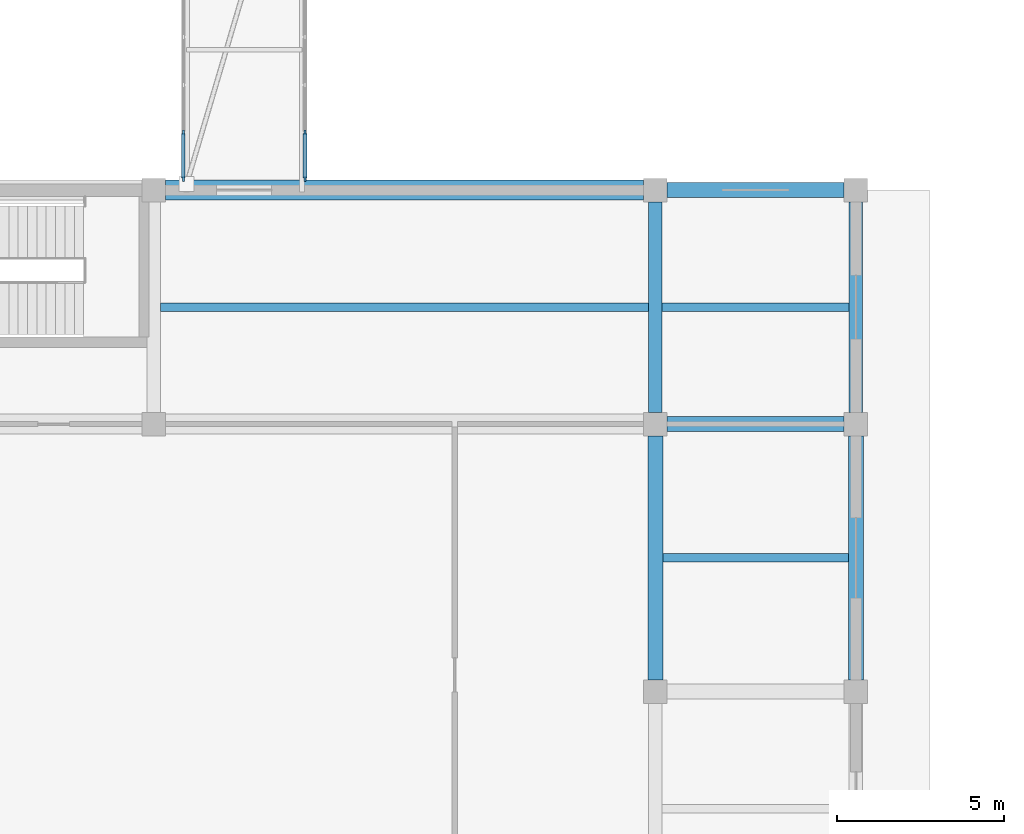
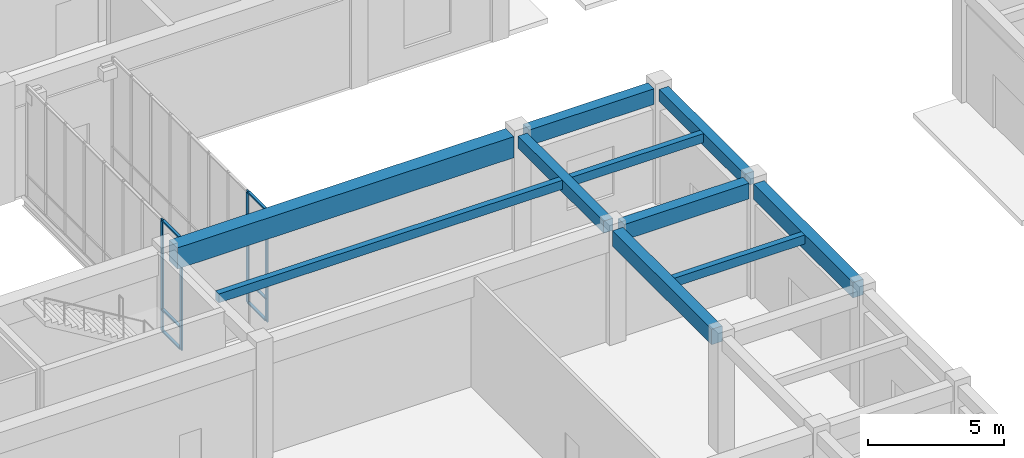
# One storey, part 6 of 40: 10 beams, 10 members, 2 elements without a shape of their own.
"""IFC4 building model written with IfcOpenShell, lengths in metres."""

from ifc_helpers import new_model, si_unit, direction, frame, origin, origin_2d, place, context, subcontext, project, spatial, rectangle, extrude, material, layer, layer_set, material_profile, profile_set, type_object, element, aggregate, save


model = new_model("IFC4")

# Units and contexts
model_context = context("Model", 3, precision=1e-05, world=origin(), true_north=direction((0.0, 1.0)))
body_context = subcontext(model_context, "Body", "Model", "MODEL_VIEW")
ifc_project = project(units=[si_unit("LENGTHUNIT", "METRE"), si_unit("AREAUNIT", "SQUARE_METRE"), si_unit("VOLUMEUNIT", "CUBIC_METRE"), si_unit("PLANEANGLEUNIT", "RADIAN"), si_unit("MASSUNIT", "GRAM", prefix="KILO")], contexts=[model_context])

# Site, building, storey
site_placement = place(None, origin())
site = spatial("IfcSite", under=ifc_project, at=site_placement, CompositionType="ELEMENT")
building_placement = place(site_placement, origin())
building = spatial("IfcBuilding", under=site, at=building_placement, Name="Naurynzar Civic Courthouse", CompositionType="ELEMENT")
storey_placement = place(building_placement, origin())
storey = spatial("IfcBuildingStorey", under=building, at=storey_placement, Name="L01", CompositionType="ELEMENT", Elevation=0.0)

# Beams
ifc_material_1 = material(Name="Concrete C40/50", Category="concrete")
ifc_material_profile_1 = material_profile(ifc_material_1, rectangle(XDim=0.25, YDim=0.39990234375, at=origin_2d()), Name="RCB 250x400")
ifc_profile_set_1 = profile_set([ifc_material_profile_1], Name="Concrete C40/50")
beam_type_1 = type_object("IfcBeamType", Name="BM-JST-250x400", PredefinedType="JOIST", material=ifc_profile_set_1)
beam_1_placement = place(storey_placement, frame((50.22509765625, 21.0, 4.929931640625), z_axis=(1.0, 0.0, 0.0), x_axis=(0.0, 1.0, 0.0)))
element("IfcBeam", 1, at=beam_1_placement, inside=storey, type_object=beam_type_1, Name="V4 secondary rib 1800 L01", PredefinedType="JOIST", context=body_context, shape_type="SweptSolid", body=[
    extrude(rectangle(XDim=0.25, YDim=0.39990234375, at=origin_2d()), origin(), (0.0, 0.0, 1.0), 5.5498046875),
])
beam_2_placement = place(storey_placement, frame((35.199951171875, 28.5, 4.929931640625), z_axis=(1.0, 0.0, 0.0), x_axis=(0.0, 1.0, 0.0)))
element("IfcBeam", 2, at=beam_2_placement, inside=storey, type_object=beam_type_1, Name="V4 secondary rib 1801 L01", PredefinedType="JOIST", context=body_context, shape_type="SweptSolid", body=[
    extrude(rectangle(XDim=0.25, YDim=0.39990234375, at=origin_2d()), origin(), (0.0, 0.0, 1.0), 14.60009765625),
])
beam_3_placement = place(storey_placement, frame((50.199951171875, 28.5, 4.929931640625), z_axis=(1.0, 0.0, 0.0), x_axis=(0.0, 1.0, 0.0)))
element("IfcBeam", 3, at=beam_3_placement, inside=storey, type_object=beam_type_1, Name="V4 secondary rib 1802 L01", PredefinedType="JOIST", context=body_context, shape_type="SweptSolid", body=[
    extrude(rectangle(XDim=0.25, YDim=0.39990234375, at=origin_2d()), origin(), (0.0, 0.0, 1.0), 5.60009765625),
])
ifc_material_2 = material(Name="Concrete C40/50", Category="concrete")
ifc_material_profile_2 = material_profile(ifc_material_2, rectangle(XDim=0.60009765625, YDim=0.949951171875, at=origin_2d()), Name="PTB 600x950")
ifc_profile_set_2 = profile_set([ifc_material_profile_2], Name="Concrete C40/50")
beam_type_2 = type_object("IfcBeamType", Name="BM-PT-600x950", PredefinedType="T_BEAM", material=ifc_profile_set_2)
beam_4_placement = place(storey_placement, frame((35.35009765625, 32.0, 4.655029296875), z_axis=(1.0, 0.0, 0.0), x_axis=(0.0, 1.0, 0.0)))
element("IfcBeam", 4, at=beam_4_placement, inside=storey, type_object=beam_type_2, Name="V4 beam X-1771 L01", PredefinedType="T_BEAM", context=body_context, shape_type="SweptSolid", body=[
    extrude(rectangle(XDim=0.60009765625, YDim=0.949951171875, at=origin_2d()), origin(), (0.0, 0.0, 1.0), 14.2998046875),
])
ifc_material_3 = material(Name="Concrete C40/50", Category="concrete")
ifc_material_profile_3 = material_profile(ifc_material_3, rectangle(XDim=0.39990234375, YDim=0.550048828125, at=origin_2d()), Name="RCB 400x550")
ifc_profile_set_3 = profile_set([ifc_material_profile_3], Name="Concrete C40/50")
beam_type_3 = type_object("IfcBeamType", Name="BM-RC-400x550", PredefinedType="BEAM", material=ifc_profile_set_3)
for number, where, z_axis, x_axis, name in (
    (5, (50.0, 25.35009765625, 4.85498046875), (0.0, 1.0, 0.0), (-1.0, 0.0, 0.0), "V4 girder Y-1790 L01"),
    (6, (56.0, 25.35009765625, 4.85498046875), (0.0, 1.0, 0.0), (-1.0, 0.0, 0.0), "V4 girder Y-1794 L01"),
):
    element("IfcBeam", number, at=place(storey_placement, frame(where, z_axis=z_axis, x_axis=x_axis)), inside=storey, type_object=beam_type_3, Name=name, PredefinedType="BEAM", context=body_context, shape_type="SweptSolid", body=[
        extrude(rectangle(XDim=0.39990234375, YDim=0.550048828125, at=origin_2d()), origin(), (0.0, 0.0, 1.0), 6.2998046875),
    ])
ifc_material_4 = material(Name="Concrete C40/50", Category="concrete")
ifc_material_profile_4 = material_profile(ifc_material_4, rectangle(XDim=0.449951171875, YDim=0.699951171875, at=origin_2d()), Name="RCB 450x700")
ifc_profile_set_4 = profile_set([ifc_material_profile_4], Name="Concrete C40/50")
beam_type_4 = type_object("IfcBeamType", Name="BM-RC-450x700", PredefinedType="BEAM", material=ifc_profile_set_4)
for number, where, z_axis, x_axis, name in (
    (7, (50.35009765625, 25.0, 4.780029296875), (1.0, 0.0, 0.0), (0.0, 1.0, 0.0), "V4 beam X-1767 L01"),
    (8, (50.35009765625, 32.0, 4.780029296875), (1.0, 0.0, 0.0), (0.0, 1.0, 0.0), "V4 beam X-1772 L01"),
):
    element("IfcBeam", number, at=place(storey_placement, frame(where, z_axis=z_axis, x_axis=x_axis)), inside=storey, type_object=beam_type_4, Name=name, PredefinedType="BEAM", context=body_context, shape_type="SweptSolid", body=[
        extrude(rectangle(XDim=0.449951171875, YDim=0.699951171875, at=origin_2d()), origin(), (0.0, 0.0, 1.0), 5.2998046875),
    ])
for number, where, z_axis, x_axis, name in (
    (9, (50.0, 17.35009765625, 4.780029296875), (0.0, 1.0, 0.0), (-1.0, 0.0, 0.0), "V4 girder Y-1789 L01"),
    (10, (56.0, 17.35009765625, 4.780029296875), (0.0, 1.0, 0.0), (-1.0, 0.0, 0.0), "V4 girder Y-1793 L01"),
):
    element("IfcBeam", number, at=place(storey_placement, frame(where, z_axis=z_axis, x_axis=x_axis)), inside=storey, type_object=beam_type_4, Name=name, PredefinedType="BEAM", context=body_context, shape_type="SweptSolid", body=[
        extrude(rectangle(XDim=0.449951171875, YDim=0.699951171875, at=origin_2d()), origin(), (0.0, 0.0, 1.0), 7.2998046875),
    ])

# Curtain wall, members
ifc_material_5 = material(Name="Aluminium 6063-T6", Category="aluminium")
ifc_layer = layer(ifc_material_5, 0.14990234375)
ifc_layer_set = layer_set([ifc_layer], Name="CW-BRIDGE-1500")
curtain_wall_type = type_object("IfcCurtainWallType", Name="CW-BRIDGE-1500", PredefinedType="USERDEFINED", material=ifc_layer_set)
curtain_wall_1_placement = place(storey_placement, origin())
curtain_wall_1 = element("IfcCurtainWall", 11, at=curtain_wall_1_placement, inside=storey, type_object=curtain_wall_type, Name="BR-W1 glazed bridge screen L01.1", ObjectType="GLAZED BRIDGE SCREEN", PredefinedType="USERDEFINED")
ifc_material_6 = material(Name="Aluminium 6063-T6", Category="aluminium")
ifc_material_profile_5 = material_profile(ifc_material_6, rectangle(XDim=0.06005859375, YDim=0.14990234375, at=origin_2d()), Name="ALU MULLION 60x150")
ifc_profile_set_5 = profile_set([ifc_material_profile_5], Name="Aluminium 6063-T6")
member_type_1 = type_object("IfcMemberType", Name="CWM-60x150", PredefinedType="MULLION", material=ifc_profile_set_5)
member_1_placement = place(storey_placement, frame((35.8798828125, 33.72509765625, 0.0), z_axis=(0.0, 0.0, 1.0), x_axis=(1.0, 0.0, 0.0)))
member_1 = element("IfcMember", 12, at=member_1_placement, type_object=member_type_1, Name="CW-03 mullion 8", PredefinedType="MULLION", context=body_context, shape_type="SweptSolid", body=[
    extrude(rectangle(XDim=0.06005859375, YDim=0.14990234375, at=origin_2d()), origin(), (0.0, 0.0, 1.0), 5.02001953125),
])
member_2_placement = place(storey_placement, frame((35.8798828125, 32.330078125, 0.0), z_axis=(0.0, 0.0, 1.0), x_axis=(1.0, 0.0, 0.0)))
member_2 = element("IfcMember", 13, at=member_2_placement, type_object=member_type_1, Name="CW-03 mullion 9", PredefinedType="MULLION", context=body_context, shape_type="SweptSolid", body=[
    extrude(rectangle(XDim=0.06005859375, YDim=0.14990234375, at=origin_2d()), origin(), (0.0, 0.0, 1.0), 5.02001953125),
])

curtain_wall_2_placement = place(storey_placement, origin())
curtain_wall_2 = element("IfcCurtainWall", 14, at=curtain_wall_2_placement, inside=storey, type_object=curtain_wall_type, Name="BR-W1 glazed bridge screen L01.2", ObjectType="GLAZED BRIDGE SCREEN", PredefinedType="USERDEFINED")
member_3_placement = place(storey_placement, frame((39.52001953125, 32.330078125, 0.0), z_axis=(0.0, 0.0, 1.0), x_axis=(-1.0, 0.0, 0.0)))
member_3 = element("IfcMember", 15, at=member_3_placement, type_object=member_type_1, Name="CW-03 mullion 1", PredefinedType="MULLION", context=body_context, shape_type="SweptSolid", body=[
    extrude(rectangle(XDim=0.06005859375, YDim=0.14990234375, at=origin_2d()), origin(), (0.0, 0.0, 1.0), 5.02001953125),
])
member_4_placement = place(storey_placement, frame((39.52001953125, 33.72509765625, 0.0), z_axis=(0.0, 0.0, 1.0), x_axis=(-1.0, 0.0, 0.0)))
member_4 = element("IfcMember", 16, at=member_4_placement, type_object=member_type_1, Name="CW-03 mullion 2", PredefinedType="MULLION", context=body_context, shape_type="SweptSolid", body=[
    extrude(rectangle(XDim=0.06005859375, YDim=0.14990234375, at=origin_2d()), origin(), (0.0, 0.0, 1.0), 5.02001953125),
])

# Member
ifc_material_7 = material(Name="Aluminium 6063-T6", Category="aluminium")
ifc_material_profile_6 = material_profile(ifc_material_7, rectangle(XDim=0.110107421875, YDim=0.06005859375, at=origin_2d()), Name="ALU TRANSOM 60x110")
ifc_profile_set_6 = profile_set([ifc_material_profile_6], Name="Aluminium 6063-T6")
member_type_2 = type_object("IfcMemberType", Name="CWT-60x110", PredefinedType="USERDEFINED", material=ifc_profile_set_6)
member_5_placement = place(storey_placement, frame((35.8798828125, 33.695068359375, 0.030029296875), z_axis=(0.0, -1.0, 0.0), x_axis=(1.0, 0.0, 0.0)))
member_5 = element("IfcMember", 17, at=member_5_placement, type_object=member_type_2, Name="CW-03 transom 8.1", ObjectType="TRANSOM", PredefinedType="USERDEFINED", context=body_context, shape_type="SweptSolid", body=[
    extrude(rectangle(XDim=0.110107421875, YDim=0.06005859375, at=origin_2d()), origin(), (0.0, 0.0, 1.0), 1.3349609375),
])

member_6_placement = place(storey_placement, frame((35.8798828125, 33.695068359375, 1.0), z_axis=(0.0, -1.0, 0.0), x_axis=(1.0, 0.0, 0.0)))
member_6 = element("IfcMember", 18, at=member_6_placement, type_object=member_type_2, Name="CW-03 transom 8.2", ObjectType="TRANSOM", PredefinedType="USERDEFINED", context=body_context, shape_type="SweptSolid", body=[
    extrude(rectangle(XDim=0.110107421875, YDim=0.06005859375, at=origin_2d()), origin(), (0.0, 0.0, 1.0), 1.3349609375),
])

member_7_placement = place(storey_placement, frame((35.8798828125, 33.695068359375, 4.989990234375), z_axis=(0.0, -1.0, 0.0), x_axis=(1.0, 0.0, 0.0)))
member_7 = element("IfcMember", 19, at=member_7_placement, type_object=member_type_2, Name="CW-03 transom 8.3", ObjectType="TRANSOM", PredefinedType="USERDEFINED", context=body_context, shape_type="SweptSolid", body=[
    extrude(rectangle(XDim=0.110107421875, YDim=0.06005859375, at=origin_2d()), origin(), (0.0, 0.0, 1.0), 1.3349609375),
])

aggregate(curtain_wall_1, [member_1, member_2, member_5, member_6, member_7])

member_8_placement = place(storey_placement, frame((39.52001953125, 32.360107421875, 0.030029296875), z_axis=(0.0, 1.0, 0.0), x_axis=(-1.0, 0.0, 0.0)))
member_8 = element("IfcMember", 20, at=member_8_placement, type_object=member_type_2, Name="CW-03 transom 1.1", ObjectType="TRANSOM", PredefinedType="USERDEFINED", context=body_context, shape_type="SweptSolid", body=[
    extrude(rectangle(XDim=0.110107421875, YDim=0.06005859375, at=origin_2d()), origin(), (0.0, 0.0, 1.0), 1.3349609375),
])

member_9_placement = place(storey_placement, frame((39.52001953125, 32.360107421875, 1.0), z_axis=(0.0, 1.0, 0.0), x_axis=(-1.0, 0.0, 0.0)))
member_9 = element("IfcMember", 21, at=member_9_placement, type_object=member_type_2, Name="CW-03 transom 1.2", ObjectType="TRANSOM", PredefinedType="USERDEFINED", context=body_context, shape_type="SweptSolid", body=[
    extrude(rectangle(XDim=0.110107421875, YDim=0.06005859375, at=origin_2d()), origin(), (0.0, 0.0, 1.0), 1.3349609375),
])

member_10_placement = place(storey_placement, frame((39.52001953125, 32.360107421875, 4.989990234375), z_axis=(0.0, 1.0, 0.0), x_axis=(-1.0, 0.0, 0.0)))
member_10 = element("IfcMember", 22, at=member_10_placement, type_object=member_type_2, Name="CW-03 transom 1.3", ObjectType="TRANSOM", PredefinedType="USERDEFINED", context=body_context, shape_type="SweptSolid", body=[
    extrude(rectangle(XDim=0.110107421875, YDim=0.06005859375, at=origin_2d()), origin(), (0.0, 0.0, 1.0), 1.3349609375),
])

aggregate(curtain_wall_2, [member_3, member_4, member_8, member_9, member_10])

save(model, "model.ifc")
